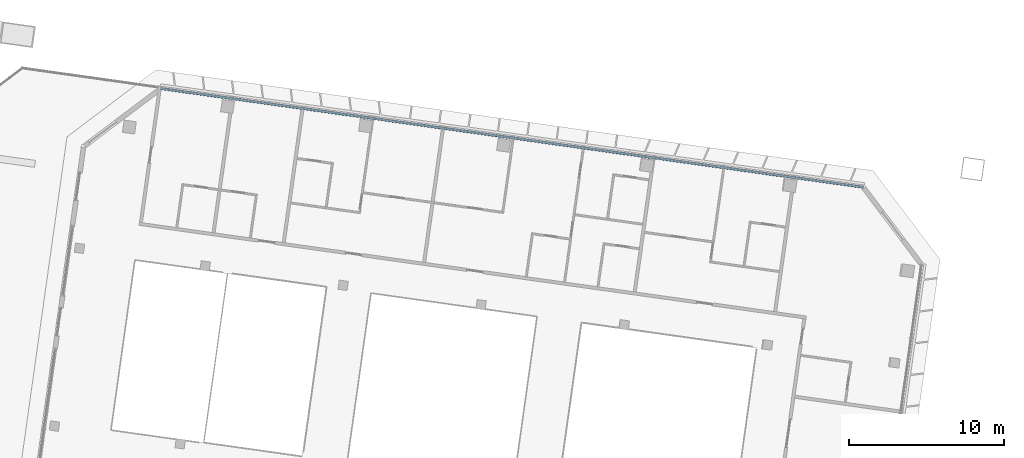
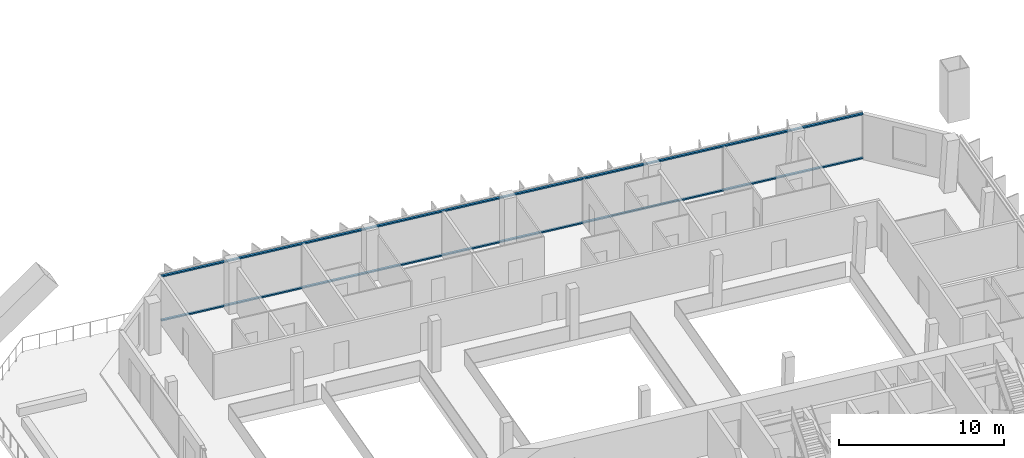
# One storey, part 5 of 23: 2 members, 1 element without a shape of its own.
"""IFC4 building model written with IfcOpenShell, lengths in metres."""

from ifc_helpers import new_model, si_unit, direction, frame, origin, origin_2d, place, context, subcontext, project, spatial, rectangle, extrude, material, material_profile, profile_set, type_object, element, aggregate, save


model = new_model("IFC4")

# Units and contexts
model_context = context("Model", 3, precision=1e-05, world=origin(), true_north=direction((0.0, 1.0)))
body_context = subcontext(model_context, "Body", "Model", "MODEL_VIEW")
ifc_project = project(units=[si_unit("LENGTHUNIT", "METRE"), si_unit("AREAUNIT", "SQUARE_METRE"), si_unit("VOLUMEUNIT", "CUBIC_METRE"), si_unit("PLANEANGLEUNIT", "RADIAN"), si_unit("MASSUNIT", "GRAM", prefix="KILO")], contexts=[model_context])

# Site, building, storey
site_placement = place(None, origin())
site = spatial("IfcSite", under=ifc_project, at=site_placement, CompositionType="ELEMENT")
building_placement = place(site_placement, origin())
building = spatial("IfcBuilding", under=site, at=building_placement, Name="Mirante Cascada Hotel Towers", CompositionType="ELEMENT")
storey_placement = place(building_placement, frame((0.0, 0.0, 180.2)))
storey = spatial("IfcBuildingStorey", under=building, at=storey_placement, Name="L42", CompositionType="ELEMENT", Elevation=180.2)

# Curtain wall, members
ifc_material_1 = material(Name="Aluminium mullion and transom frame with clear laminated glass", Category="aluminium")
curtain_wall_type = type_object("IfcCurtainWallType", Name="Ribbon curtain wall ECW1", PredefinedType="NOTDEFINED", material=ifc_material_1)
curtain_wall_placement = place(storey_placement, origin())
curtain_wall = element("IfcCurtainWall", 1, at=curtain_wall_placement, inside=storey, type_object=curtain_wall_type, Name="Front ribbon wall T1 L42", PredefinedType="NOTDEFINED")
ifc_material_2 = material(Name="Anodised aluminium extrusion", Category="aluminium")
ifc_material_profile = material_profile(ifc_material_2, rectangle(XDim=0.16, YDim=0.1, at=origin_2d()), Name="ECW1 TRANSOM 100x160")
ifc_profile_set = profile_set([ifc_material_profile], Name="Anodised aluminium extrusion")
member_type = type_object("IfcMemberType", Name="ECW1 transom 100x160", PredefinedType="USERDEFINED", material=ifc_profile_set)
member_1_placement = place(storey_placement, frame((-76.3333, 23.547, 0.05), z_axis=(0.9902679, -0.1391745, 0.0), x_axis=(0.1391745, 0.9902679, 0.0)))
member_1 = element("IfcMember", 2, at=member_1_placement, type_object=member_type, Name="ECW1 sill transom", ObjectType="TRANSOM", PredefinedType="USERDEFINED", context=body_context, shape_type="SweptSolid", body=[
    extrude(rectangle(XDim=0.16, YDim=0.1, at=origin_2d()), origin(), (0.0, 0.0, 1.0), 45.8238),
])
member_2_placement = place(storey_placement, frame((-76.3333, 23.547, 3.3), z_axis=(0.9902679, -0.1391745, 0.0), x_axis=(0.1391745, 0.9902679, 0.0)))
member_2 = element("IfcMember", 3, at=member_2_placement, type_object=member_type, Name="ECW1 head transom", ObjectType="TRANSOM", PredefinedType="USERDEFINED", context=body_context, shape_type="SweptSolid", body=[
    extrude(rectangle(XDim=0.16, YDim=0.1, at=origin_2d()), origin(), (0.0, 0.0, 1.0), 45.8238),
])
aggregate(curtain_wall, [member_1, member_2])

save(model, "model.ifc")
